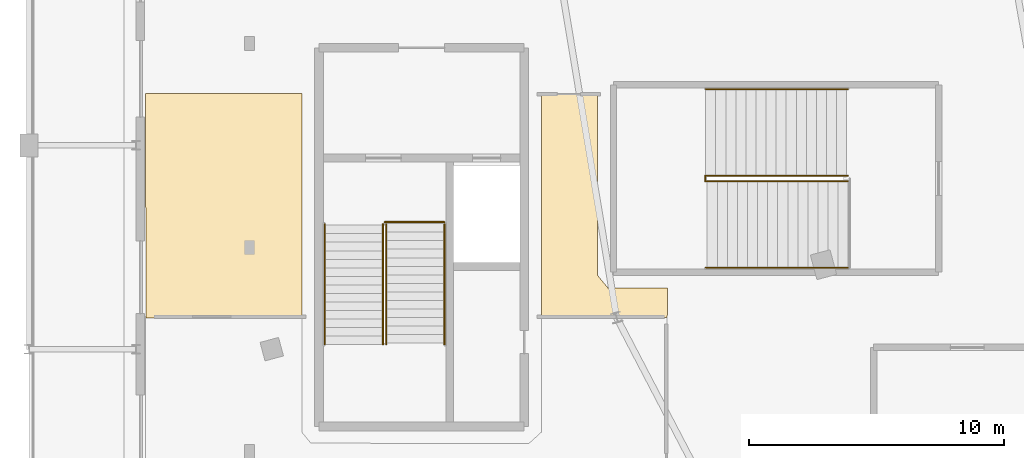
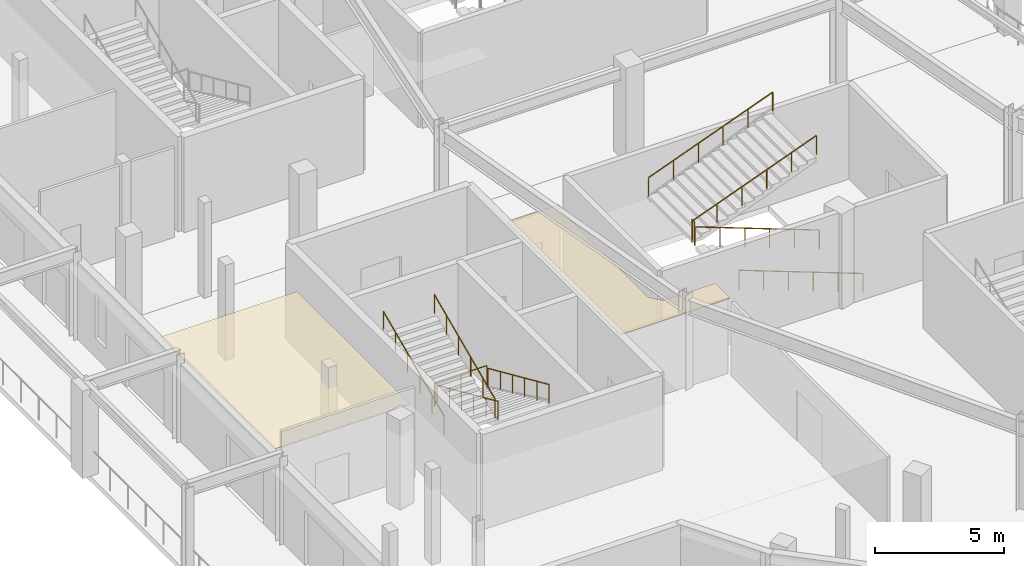
# One storey, part 89 of 107: 10 railings, 2 coverings.
"""IFC4 building model written with IfcOpenShell, lengths in metres."""

from ifc_helpers import new_model, si_unit, direction, frame, origin, origin_2d, place, context, subcontext, project, spatial, polyline, circle, outline, extrude, material, layer, layer_set, type_object, element, save


model = new_model("IFC4")

# Units and contexts
model_context = context("Model", 3, precision=1e-05, world=origin(), true_north=direction((0.0, 1.0)))
body_context = subcontext(model_context, "Body", "Model", "MODEL_VIEW")
ifc_project = project(units=[si_unit("LENGTHUNIT", "METRE"), si_unit("AREAUNIT", "SQUARE_METRE"), si_unit("VOLUMEUNIT", "CUBIC_METRE"), si_unit("PLANEANGLEUNIT", "RADIAN"), si_unit("MASSUNIT", "GRAM", prefix="KILO")], contexts=[model_context])

# Site, building, storey
site_placement = place(None, origin())
site = spatial("IfcSite", under=ifc_project, at=site_placement, CompositionType="ELEMENT")
building_placement = place(site_placement, origin())
building = spatial("IfcBuilding", under=site, at=building_placement, Name="Kalgoora Escarpment Arena", CompositionType="ELEMENT")
storey_placement = place(building_placement, frame((0.0, 0.0, 5.39990234375)))
storey = spatial("IfcBuildingStorey", under=building, at=storey_placement, Name="L01", CompositionType="ELEMENT", Elevation=5.39990234375)

# Coverings
ifc_material_1 = material(Name="Perforated acoustic mineral-fibre ceiling tile")
ifc_layer = layer(ifc_material_1, 0.02490234375)
ifc_layer_set = layer_set([ifc_layer], Name="COV-CEIL-ACOUSTIC")
covering_type = type_object("IfcCoveringType", Name="COV-CEIL-ACOUSTIC", PredefinedType="CEILING", material=ifc_layer_set)
covering_1_placement = place(storey_placement, frame((0.0, 0.0, 3.47998046875)))
element("IfcCovering", 1, at=covering_1_placement, inside=storey, type_object=covering_type, Name="L01 Arena Cafe 2 acoustic suspended ceiling", PredefinedType="CEILING", context=body_context, shape_type="SweptSolid", body=[
    extrude(outline(polyline([(4.59619140625, 49.235107421875), (4.566650390625, 58.022216796875), (10.699951171875, 58.0400390625), (10.699951171875, 49.235107421875), (4.59619140625, 49.235107421875)])), origin(), (0.0, 0.0, 1.0), 0.025146484375),
])
covering_2_placement = place(storey_placement, frame((0.0, 0.0, 3.47998046875)))
element("IfcCovering", 2, at=covering_2_placement, inside=storey, type_object=covering_type, Name="L01 Arena Cafe 3 acoustic suspended ceiling", PredefinedType="CEILING", context=body_context, shape_type="SweptSolid", body=[
    extrude(outline(polyline([(22.300048828125, 50.89990234375), (22.702392578125, 50.40966796875), (25.0400390625, 50.39990234375), (25.033203125, 49.252685546875), (20.10009765625, 49.235107421875), (20.10009765625, 58.0400390625), (22.300048828125, 58.0400390625), (22.300048828125, 50.89990234375)])), origin(), (0.0, 0.0, 1.0), 0.025146484375),
])

# Railings
ifc_material_2 = material(Name="Galvanised & powdercoated tubular steel", Category="steel")
railing_type_1 = type_object("IfcRailingType", Name="RAL-GUARD-1120", PredefinedType="GUARDRAIL", material=ifc_material_2)
railing_1_placement = place(storey_placement, frame((16.2900390625, 52.989990234375, 0.0)))
element("IfcRailing", 3, at=railing_1_placement, inside=storey, type_object=railing_type_1, Name="ST02 L01 floor landing well guard", PredefinedType="GUARDRAIL", context=body_context, shape_type="SweptSolid", body=[
    extrude(circle(Radius=0.02392578125, at=origin_2d()), frame((0.0, 0.0, 1.09619140625), z_axis=(-1.0, 0.0, 0.0), x_axis=(0.0, -1.0, 0.0)), (0.0, 0.0, 1.0), 2.340087890625),
    extrude(circle(Radius=0.02099609375, at=origin_2d()), origin(), (0.0, 0.0, 1.0), 1.072021484375),
    extrude(circle(Radius=0.02099609375, at=origin_2d()), frame((-1.169921875, 0.0, 0.0)), (0.0, 0.0, 1.0), 1.072021484375),
    extrude(circle(Radius=0.02099609375, at=origin_2d()), frame((-2.340087890625, 0.0, 0.0)), (0.0, 0.0, 1.0), 1.072021484375),
])
railing_2_placement = place(storey_placement, frame((26.52001953125, 54.60009765625, 2.25)))
element("IfcRailing", 4, at=railing_2_placement, inside=storey, type_object=railing_type_1, Name="ST18 L01 half-landing well guard", PredefinedType="GUARDRAIL", context=body_context, shape_type="SweptSolid", body=[
    extrude(circle(Radius=0.02392578125, at=origin_2d()), frame((0.0, 0.0, 1.09619140625), z_axis=(0.0, 1.0, 0.0), x_axis=(-1.0, 0.0, 0.0)), (0.0, 0.0, 1.0), 0.199951171875),
    extrude(circle(Radius=0.02099609375, at=origin_2d()), origin(), (0.0, 0.0, 1.0), 1.072021484375),
    extrude(circle(Radius=0.02099609375, at=origin_2d()), frame((0.0, 0.199951171875, 0.0)), (0.0, 0.0, 1.0), 1.072021484375),
])
ifc_material_3 = material(Name="Brushed stainless steel 316 handrail", Category="steel")
railing_type_2 = type_object("IfcRailingType", Name="RAL-HAND-920", PredefinedType="HANDRAIL", material=ifc_material_3)
for number, where, name in (
    (5, (16.300048828125, 52.909912109375, 0.110107421875), "ST02 L01 pitched stair handrail F1L"),
    (6, (14.014892578125, 52.909912109375, 0.110107421875), "ST02 L01 pitched stair handrail F1R"),
):
    element("IfcRailing", number, at=place(storey_placement, frame(where)), inside=storey, type_object=railing_type_2, Name=name, PredefinedType="HANDRAIL", context=body_context, shape_type="SweptSolid", body=[
        extrude(circle(Radius=0.02392578125, at=origin_2d()), frame((0.0, 0.0, 0.89599609375), z_axis=(0.0, -0.913643874524, 0.406515523129), x_axis=(1.0, 0.0, 0.0)), (0.0, 0.0, 1.0), 5.166015625),
        extrude(circle(Radius=0.02099609375, at=origin_2d()), origin(), (0.0, 0.0, 1.0), 0.871826171875),
        extrude(circle(Radius=0.02099609375, at=origin_2d()), frame((0.0, -0.944091796875, 0.419921875)), (0.0, 0.0, 1.0), 0.871826171875),
        extrude(circle(Radius=0.02099609375, at=origin_2d()), frame((0.0, -1.887939453125, 0.840087890625)), (0.0, 0.0, 1.0), 0.871826171875),
        extrude(circle(Radius=0.02099609375, at=origin_2d()), frame((0.0, -2.83203125, 1.260009765625)), (0.0, 0.0, 1.0), 0.871826171875),
        extrude(circle(Radius=0.02099609375, at=origin_2d()), frame((0.0, -3.77587890625, 1.68017578125)), (0.0, 0.0, 1.0), 0.871826171875),
        extrude(circle(Radius=0.02099609375, at=origin_2d()), frame((0.0, -4.719970703125, 2.10009765625)), (0.0, 0.0, 1.0), 0.871826171875),
    ])
for number, where, name in (
    (7, (13.885009765625, 48.18994140625, 2.360107421875), "ST02 L01 pitched stair handrail F2L"),
    (8, (11.60009765625, 48.18994140625, 2.360107421875), "ST02 L01 pitched stair handrail F2R"),
):
    element("IfcRailing", number, at=place(storey_placement, frame(where)), inside=storey, type_object=railing_type_2, Name=name, PredefinedType="HANDRAIL", context=body_context, shape_type="SweptSolid", body=[
        extrude(circle(Radius=0.02392578125, at=origin_2d()), frame((0.0, 0.0, 0.89599609375), z_axis=(0.0, 0.913643874524, 0.406515523129), x_axis=(-1.0, 0.0, 0.0)), (0.0, 0.0, 1.0), 5.166015625),
        extrude(circle(Radius=0.02099609375, at=origin_2d()), origin(), (0.0, 0.0, 1.0), 0.871826171875),
        extrude(circle(Radius=0.02099609375, at=origin_2d()), frame((0.0, 0.944091796875, 0.419921875)), (0.0, 0.0, 1.0), 0.871826171875),
        extrude(circle(Radius=0.02099609375, at=origin_2d()), frame((0.0, 1.887939453125, 0.840087890625)), (0.0, 0.0, 1.0), 0.871826171875),
        extrude(circle(Radius=0.02099609375, at=origin_2d()), frame((0.0, 2.83203125, 1.260009765625)), (0.0, 0.0, 1.0), 0.871826171875),
        extrude(circle(Radius=0.02099609375, at=origin_2d()), frame((0.0, 3.77587890625, 1.68017578125)), (0.0, 0.0, 1.0), 0.871826171875),
        extrude(circle(Radius=0.02099609375, at=origin_2d()), frame((0.0, 4.719970703125, 2.10009765625)), (0.0, 0.0, 1.0), 0.871826171875),
    ])
for number, where, name in (
    (9, (32.110107421875, 51.199951171875, 0.110107421875), "ST18 L01 pitched stair handrail F1L"),
    (10, (32.110107421875, 54.590087890625, 0.110107421875), "ST18 L01 pitched stair handrail F1R"),
):
    element("IfcRailing", number, at=place(storey_placement, frame(where)), inside=storey, type_object=railing_type_2, Name=name, PredefinedType="HANDRAIL", context=body_context, shape_type="SweptSolid", body=[
        extrude(circle(Radius=0.02392578125, at=origin_2d()), frame((0.0, 0.0, 0.89599609375), z_axis=(-0.935492612948, 0.0, 0.353346248203), x_axis=(0.0, -1.0, 0.0)), (0.0, 0.0, 1.0), 5.943359375),
        extrude(circle(Radius=0.02099609375, at=origin_2d()), origin(), (0.0, 0.0, 1.0), 0.871826171875),
        extrude(circle(Radius=0.02099609375, at=origin_2d()), frame((-1.112060546875, 0.0, 0.419921875)), (0.0, 0.0, 1.0), 0.871826171875),
        extrude(circle(Radius=0.02099609375, at=origin_2d()), frame((-2.22412109375, 0.0, 0.840087890625)), (0.0, 0.0, 1.0), 0.871826171875),
        extrude(circle(Radius=0.02099609375, at=origin_2d()), frame((-3.3359375, 0.0, 1.260009765625)), (0.0, 0.0, 1.0), 0.871826171875),
        extrude(circle(Radius=0.02099609375, at=origin_2d()), frame((-4.447998046875, 0.0, 1.68017578125)), (0.0, 0.0, 1.0), 0.871826171875),
        extrude(circle(Radius=0.02099609375, at=origin_2d()), frame((-5.56005859375, 0.0, 2.10009765625)), (0.0, 0.0, 1.0), 0.871826171875),
    ])
for number, where, name in (
    (11, (26.550048828125, 54.81005859375, 2.360107421875), "ST18 L01 pitched stair handrail F2L"),
    (12, (26.550048828125, 58.199951171875, 2.360107421875), "ST18 L01 pitched stair handrail F2R"),
):
    element("IfcRailing", number, at=place(storey_placement, frame(where)), inside=storey, type_object=railing_type_2, Name=name, PredefinedType="HANDRAIL", context=body_context, shape_type="SweptSolid", body=[
        extrude(circle(Radius=0.02392578125, at=origin_2d()), frame((0.0, 0.0, 0.89599609375), z_axis=(0.935492612948, 0.0, 0.353346248203), x_axis=(0.0, 1.0, 0.0)), (0.0, 0.0, 1.0), 5.943359375),
        extrude(circle(Radius=0.02099609375, at=origin_2d()), origin(), (0.0, 0.0, 1.0), 0.871826171875),
        extrude(circle(Radius=0.02099609375, at=origin_2d()), frame((1.112060546875, 0.0, 0.419921875)), (0.0, 0.0, 1.0), 0.871826171875),
        extrude(circle(Radius=0.02099609375, at=origin_2d()), frame((2.22412109375, 0.0, 0.840087890625)), (0.0, 0.0, 1.0), 0.871826171875),
        extrude(circle(Radius=0.02099609375, at=origin_2d()), frame((3.3359375, 0.0, 1.260009765625)), (0.0, 0.0, 1.0), 0.871826171875),
        extrude(circle(Radius=0.02099609375, at=origin_2d()), frame((4.447998046875, 0.0, 1.68017578125)), (0.0, 0.0, 1.0), 0.871826171875),
        extrude(circle(Radius=0.02099609375, at=origin_2d()), frame((5.56005859375, 0.0, 2.10009765625)), (0.0, 0.0, 1.0), 0.871826171875),
    ])

save(model, "model.ifc")
